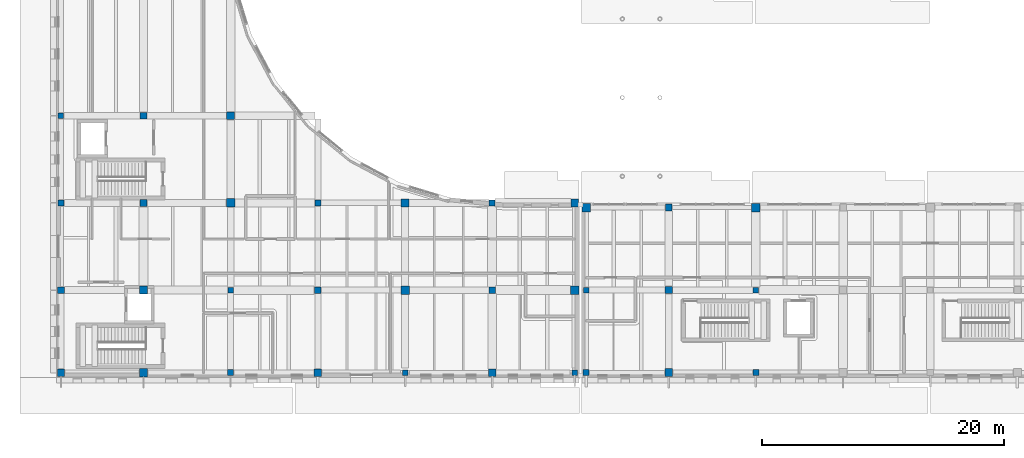
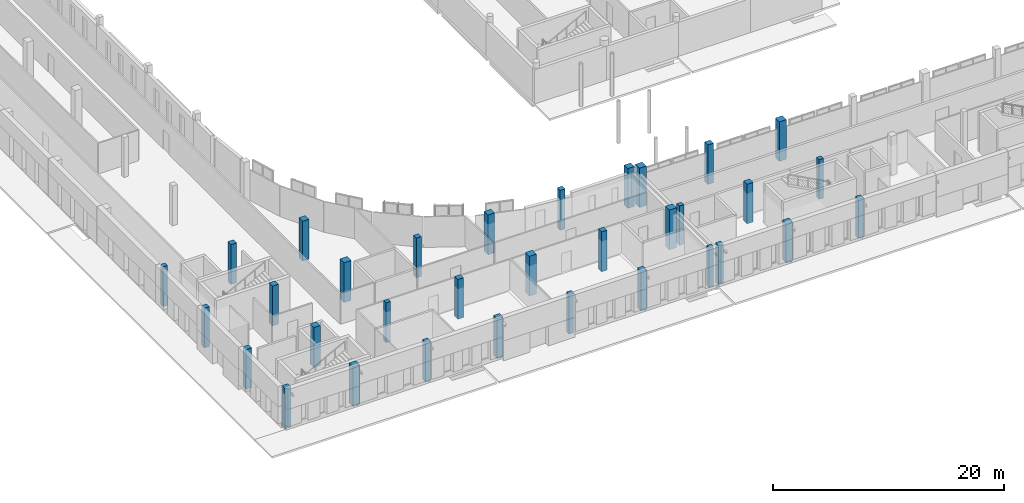
# One storey, part 1 of 77: 33 columns.
"""IFC4 building model written with IfcOpenShell, lengths in metres."""

from ifc_helpers import new_model, si_unit, direction, frame, origin, origin_2d, place, context, subcontext, project, spatial, rectangle, extrude, material, material_profile, profile_set, type_object, element, save


model = new_model("IFC4")

# Units and contexts
model_context = context("Model", 3, precision=1e-05, world=origin(), true_north=direction((0.0, 1.0)))
body_context = subcontext(model_context, "Body", "Model", "MODEL_VIEW")
ifc_project = project(units=[si_unit("LENGTHUNIT", "METRE"), si_unit("AREAUNIT", "SQUARE_METRE"), si_unit("VOLUMEUNIT", "CUBIC_METRE"), si_unit("PLANEANGLEUNIT", "RADIAN"), si_unit("MASSUNIT", "GRAM", prefix="KILO")], contexts=[model_context])

# Site, building, storey
site_placement = place(None, origin())
site = spatial("IfcSite", under=ifc_project, at=site_placement, CompositionType="ELEMENT")
building_placement = place(site_placement, origin())
building = spatial("IfcBuilding", under=site, at=building_placement, Name="Vardoun Plaza Health Centre", CompositionType="ELEMENT")
storey_placement = place(building_placement, origin())
storey = spatial("IfcBuildingStorey", under=building, at=storey_placement, Name="L00", CompositionType="ELEMENT", Elevation=0.0)

# Columns
ifc_material_1 = material(Name="Concrete C40/50", Category="concrete")
ifc_material_profile_1 = material_profile(ifc_material_1, rectangle(XDim=0.449951171875, YDim=0.449951171875, at=origin_2d()), Name="RC-COL 450x450")
ifc_profile_set_1 = profile_set([ifc_material_profile_1], Name="Concrete C40/50")
column_type_1 = type_object("IfcColumnType", Name="C-07", PredefinedType="COLUMN", material=ifc_profile_set_1)
for number, where, z_axis, x_axis, name in (
    (1, (4.8798828125, 26.10009765625, 0.0), (0.0, 0.0, 1.0), (1.0, 0.0, 0.0), "V2 L00 Column C-V2-04"),
    (2, (18.89990234375, 11.699951171875, 0.0), (0.0, 0.0, 1.0), (1.0, 0.0, 0.0), "V2 L00 Column C-V2-22"),
    (3, (33.300048828125, 4.8798828125, 0.0), (0.0, 0.0, 1.0), (1.0, 0.0, 0.0), "V2 L00 Column C-V2-34"),
    (4, (47.320068359375, 4.8798828125, 0.0), (0.0, 0.0, 1.0), (1.0, 0.0, 0.0), "V2 L00 Column C-V2-40"),
):
    element("IfcColumn", number, at=place(storey_placement, frame(where, z_axis=z_axis, x_axis=x_axis)), inside=storey, type_object=column_type_1, Name=name, PredefinedType="COLUMN", context=body_context, shape_type="SweptSolid", body=[
        extrude(rectangle(XDim=0.449951171875, YDim=0.449951171875, at=origin_2d()), origin(), (0.0, 0.0, 1.0), 4.219970703125),
    ])
for number, where, z_axis, x_axis, name in (
    (5, (48.260009765625, 11.699951171875, 0.0), (0.0, 0.0, 1.0), (1.0, 0.0, 0.0), "V4 L00 Column C-V4-02"),
    (6, (62.280029296875, 11.699951171875, 0.0), (0.0, 0.0, 1.0), (1.0, 0.0, 0.0), "V4 L00 Column C-V4-08"),
):
    element("IfcColumn", number, at=place(storey_placement, frame(where, z_axis=z_axis, x_axis=x_axis)), inside=storey, type_object=column_type_1, Name=name, PredefinedType="COLUMN", context=body_context, shape_type="SweptSolid", body=[
        extrude(rectangle(XDim=0.449951171875, YDim=0.449951171875, at=origin_2d()), origin(), (0.0, 0.0, 1.0), 4.18505859375),
    ])
ifc_material_2 = material(Name="Concrete C40/50", Category="concrete")
ifc_material_profile_2 = material_profile(ifc_material_2, rectangle(XDim=0.5, YDim=0.5, at=origin_2d()), Name="RC-COL 500x500")
ifc_profile_set_2 = profile_set([ifc_material_profile_2], Name="Concrete C40/50")
column_type_2 = type_object("IfcColumnType", Name="C-06", PredefinedType="COLUMN", material=ifc_profile_set_2)
for number, where, z_axis, x_axis, name in (
    (7, (4.8798828125, 18.89990234375, 0.0), (0.0, 0.0, 1.0), (1.0, 0.0, 0.0), "V2 L00 Column C-V2-03"),
    (8, (18.89990234375, 4.8798828125, 0.0), (0.0, 0.0, 1.0), (1.0, 0.0, 0.0), "V2 L00 Column C-V2-21"),
    (9, (26.10009765625, 18.89990234375, 0.0), (0.0, 0.0, 1.0), (1.0, 0.0, 0.0), "V2 L00 Column C-V2-33"),
    (10, (40.5, 18.89990234375, 0.0), (0.0, 0.0, 1.0), (1.0, 0.0, 0.0), "V2 L00 Column C-V2-39"),
):
    element("IfcColumn", number, at=place(storey_placement, frame(where, z_axis=z_axis, x_axis=x_axis)), inside=storey, type_object=column_type_2, Name=name, PredefinedType="COLUMN", context=body_context, shape_type="SweptSolid", body=[
        extrude(rectangle(XDim=0.5, YDim=0.5, at=origin_2d()), origin(), (0.0, 0.0, 1.0), 4.219970703125),
    ])
for number, where, z_axis, x_axis, name in (
    (11, (48.260009765625, 4.8798828125, 0.0), (0.0, 0.0, 1.0), (1.0, 0.0, 0.0), "V4 L00 Column C-V4-01"),
    (12, (62.280029296875, 4.8798828125, 0.0), (0.0, 0.0, 1.0), (1.0, 0.0, 0.0), "V4 L00 Column C-V4-07"),
):
    element("IfcColumn", number, at=place(storey_placement, frame(where, z_axis=z_axis, x_axis=x_axis)), inside=storey, type_object=column_type_2, Name=name, PredefinedType="COLUMN", context=body_context, shape_type="SweptSolid", body=[
        extrude(rectangle(XDim=0.5, YDim=0.5, at=origin_2d()), origin(), (0.0, 0.0, 1.0), 4.18505859375),
    ])
ifc_material_3 = material(Name="Concrete C40/50", Category="concrete")
ifc_material_profile_3 = material_profile(ifc_material_3, rectangle(XDim=0.550048828125, YDim=0.550048828125, at=origin_2d()), Name="RC-COL 550x550")
ifc_profile_set_3 = profile_set([ifc_material_profile_3], Name="Concrete C40/50")
column_type_3 = type_object("IfcColumnType", Name="C-05", PredefinedType="COLUMN", material=ifc_profile_set_3)
for number, where, z_axis, x_axis, name in (
    (13, (4.8798828125, 11.699951171875, 0.0), (0.0, 0.0, 1.0), (1.0, 0.0, 0.0), "V2 L00 Column C-V2-02"),
    (14, (11.699951171875, 26.10009765625, 0.0), (0.0, 0.0, 1.0), (1.0, 0.0, 0.0), "V2 L00 Column C-V2-14"),
    (15, (26.10009765625, 11.699951171875, 0.0), (0.0, 0.0, 1.0), (1.0, 0.0, 0.0), "V2 L00 Column C-V2-32"),
    (16, (40.5, 11.699951171875, 0.0), (0.0, 0.0, 1.0), (1.0, 0.0, 0.0), "V2 L00 Column C-V2-38"),
):
    element("IfcColumn", number, at=place(storey_placement, frame(where, z_axis=z_axis, x_axis=x_axis)), inside=storey, type_object=column_type_3, Name=name, PredefinedType="COLUMN", context=body_context, shape_type="SweptSolid", body=[
        extrude(rectangle(XDim=0.550048828125, YDim=0.550048828125, at=origin_2d()), origin(), (0.0, 0.0, 1.0), 4.219970703125),
    ])
column_1_placement = place(storey_placement, frame((55.080078125, 18.52001953125, 0.0), z_axis=(0.0, 0.0, 1.0), x_axis=(1.0, 0.0, 0.0)))
element("IfcColumn", 17, at=column_1_placement, inside=storey, type_object=column_type_3, Name="V4 L00 Column C-V4-06", PredefinedType="COLUMN", context=body_context, shape_type="SweptSolid", body=[
    extrude(rectangle(XDim=0.550048828125, YDim=0.550048828125, at=origin_2d()), origin(), (0.0, 0.0, 1.0), 4.18505859375),
])
ifc_material_4 = material(Name="Concrete C40/50", Category="concrete")
ifc_material_profile_4 = material_profile(ifc_material_4, rectangle(XDim=0.60009765625, YDim=0.60009765625, at=origin_2d()), Name="RC-COL 600x600")
ifc_profile_set_4 = profile_set([ifc_material_profile_4], Name="Concrete C40/50")
column_type_4 = type_object("IfcColumnType", Name="C-04", PredefinedType="COLUMN", material=ifc_profile_set_4)
for number, where, z_axis, x_axis, name in (
    (18, (4.8798828125, 4.8798828125, 0.0), (0.0, 0.0, 1.0), (1.0, 0.0, 0.0), "V2 L00 Column C-V2-01"),
    (19, (11.699951171875, 18.89990234375, 0.0), (0.0, 0.0, 1.0), (1.0, 0.0, 0.0), "V2 L00 Column C-V2-13"),
    (20, (26.10009765625, 4.8798828125, 0.0), (0.0, 0.0, 1.0), (1.0, 0.0, 0.0), "V2 L00 Column C-V2-31"),
    (21, (40.5, 4.8798828125, 0.0), (0.0, 0.0, 1.0), (1.0, 0.0, 0.0), "V2 L00 Column C-V2-37"),
):
    element("IfcColumn", number, at=place(storey_placement, frame(where, z_axis=z_axis, x_axis=x_axis)), inside=storey, type_object=column_type_4, Name=name, PredefinedType="COLUMN", context=body_context, shape_type="SweptSolid", body=[
        extrude(rectangle(XDim=0.60009765625, YDim=0.60009765625, at=origin_2d()), origin(), (0.0, 0.0, 1.0), 4.219970703125),
    ])
column_2_placement = place(storey_placement, frame((55.080078125, 11.699951171875, 0.0), z_axis=(0.0, 0.0, 1.0), x_axis=(1.0, 0.0, 0.0)))
element("IfcColumn", 22, at=column_2_placement, inside=storey, type_object=column_type_4, Name="V4 L00 Column C-V4-05", PredefinedType="COLUMN", context=body_context, shape_type="SweptSolid", body=[
    extrude(rectangle(XDim=0.60009765625, YDim=0.60009765625, at=origin_2d()), origin(), (0.0, 0.0, 1.0), 4.18505859375),
])
ifc_material_5 = material(Name="Concrete C40/50", Category="concrete")
ifc_material_profile_5 = material_profile(ifc_material_5, rectangle(XDim=0.64990234375, YDim=0.64990234375, at=origin_2d()), Name="RC-COL 650x650")
ifc_profile_set_5 = profile_set([ifc_material_profile_5], Name="Concrete C40/50")
column_type_5 = type_object("IfcColumnType", Name="C-03", PredefinedType="COLUMN", material=ifc_profile_set_5)
for number, where, z_axis, x_axis, name in (
    (23, (11.699951171875, 11.699951171875, 0.0), (0.0, 0.0, 1.0), (1.0, 0.0, 0.0), "V2 L00 Column C-V2-12"),
    (24, (18.89990234375, 26.10009765625, 0.0), (0.0, 0.0, 1.0), (1.0, 0.0, 0.0), "V2 L00 Column C-V2-24"),
    (25, (33.300048828125, 18.89990234375, 0.0), (0.0, 0.0, 1.0), (1.0, 0.0, 0.0), "V2 L00 Column C-V2-36"),
    (26, (47.320068359375, 18.89990234375, 0.0), (0.0, 0.0, 1.0), (1.0, 0.0, 0.0), "V2 L00 Column C-V2-42"),
):
    element("IfcColumn", number, at=place(storey_placement, frame(where, z_axis=z_axis, x_axis=x_axis)), inside=storey, type_object=column_type_5, Name=name, PredefinedType="COLUMN", context=body_context, shape_type="SweptSolid", body=[
        extrude(rectangle(XDim=0.64990234375, YDim=0.64990234375, at=origin_2d()), origin(), (0.0, 0.0, 1.0), 4.219970703125),
    ])
column_3_placement = place(storey_placement, frame((55.080078125, 4.8798828125, 0.0), z_axis=(0.0, 0.0, 1.0), x_axis=(1.0, 0.0, 0.0)))
element("IfcColumn", 27, at=column_3_placement, inside=storey, type_object=column_type_5, Name="V4 L00 Column C-V4-04", PredefinedType="COLUMN", context=body_context, shape_type="SweptSolid", body=[
    extrude(rectangle(XDim=0.64990234375, YDim=0.64990234375, at=origin_2d()), origin(), (0.0, 0.0, 1.0), 4.18505859375),
])
ifc_material_6 = material(Name="Concrete C40/50", Category="concrete")
ifc_material_profile_6 = material_profile(ifc_material_6, rectangle(XDim=0.699951171875, YDim=0.699951171875, at=origin_2d()), Name="RC-COL 700x700")
ifc_profile_set_6 = profile_set([ifc_material_profile_6], Name="Concrete C40/50")
column_type_6 = type_object("IfcColumnType", Name="C-02", PredefinedType="COLUMN", material=ifc_profile_set_6)
for number, where, z_axis, x_axis, name in (
    (28, (11.699951171875, 4.8798828125, 0.0), (0.0, 0.0, 1.0), (1.0, 0.0, 0.0), "V2 L00 Column C-V2-11"),
    (29, (18.89990234375, 18.89990234375, 0.0), (0.0, 0.0, 1.0), (1.0, 0.0, 0.0), "V2 L00 Column C-V2-23"),
    (30, (33.300048828125, 11.699951171875, 0.0), (0.0, 0.0, 1.0), (1.0, 0.0, 0.0), "V2 L00 Column C-V2-35"),
    (31, (47.320068359375, 11.699951171875, 0.0), (0.0, 0.0, 1.0), (1.0, 0.0, 0.0), "V2 L00 Column C-V2-41"),
):
    element("IfcColumn", number, at=place(storey_placement, frame(where, z_axis=z_axis, x_axis=x_axis)), inside=storey, type_object=column_type_6, Name=name, PredefinedType="COLUMN", context=body_context, shape_type="SweptSolid", body=[
        extrude(rectangle(XDim=0.699951171875, YDim=0.699951171875, at=origin_2d()), origin(), (0.0, 0.0, 1.0), 4.219970703125),
    ])
for number, where, z_axis, x_axis, name in (
    (32, (48.260009765625, 18.52001953125, 0.0), (0.0, 0.0, 1.0), (1.0, 0.0, 0.0), "V4 L00 Column C-V4-03"),
    (33, (62.280029296875, 18.52001953125, 0.0), (0.0, 0.0, 1.0), (1.0, 0.0, 0.0), "V4 L00 Column C-V4-09"),
):
    element("IfcColumn", number, at=place(storey_placement, frame(where, z_axis=z_axis, x_axis=x_axis)), inside=storey, type_object=column_type_6, Name=name, PredefinedType="COLUMN", context=body_context, shape_type="SweptSolid", body=[
        extrude(rectangle(XDim=0.699951171875, YDim=0.699951171875, at=origin_2d()), origin(), (0.0, 0.0, 1.0), 4.18505859375),
    ])

save(model, "model.ifc")
